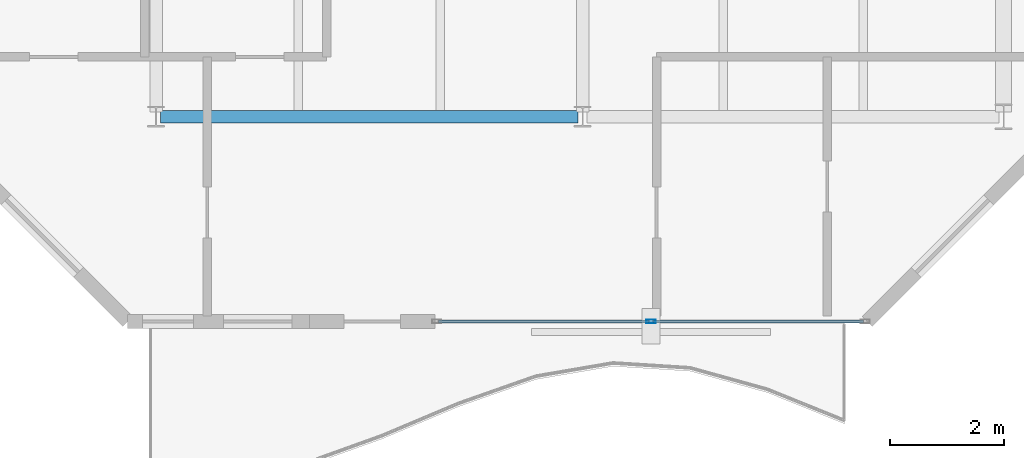
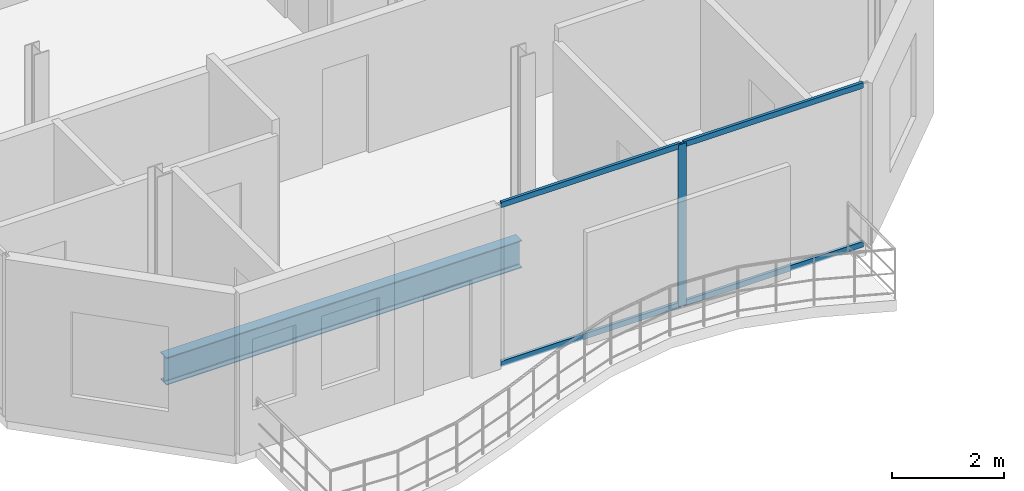
# One storey, part 4 of 22: 5 members, 1 beam, 1 element without a shape of its own.
"""IFC4 building model written with IfcOpenShell, lengths in metres."""

import ifcopenshell
import ifcopenshell.guid

model = None  # the IFC model being written
_history = None  # IfcOwnerHistory: only IFC2X3 demands one
_inside = {}  # id of a spatial element -> (the spatial element, [elements in it])
_under = {}  # id of a project, library or spatial element -> (it, [spatial elements below it])
_declared = {}  # id of a project -> (the project, [libraries it declares])
_typed = {}  # id of a type object -> (the type object, [elements of that type])
_made_of = {}  # id of a material, layer set ... -> (it, [elements and type objects made of it])


def new_model(schema):
    """Start an empty IFC model of exactly this schema.

    Asked for "IFC4X3", IfcOpenShell would pick the latest addendum, in which some entities
    have other attributes; the version numbers below select the first issue.
    IFC2X3 requires an IfcOwnerHistory on every rooted entity: one is made here for all.
    """
    global model, _history
    if schema == "IFC4X3":
        model = ifcopenshell.file(schema_version=(4, 3, 0, 0))
    else:
        model = ifcopenshell.file(schema=schema)
    _inside.clear()
    _under.clear()
    _declared.clear()
    _typed.clear()
    _made_of.clear()
    _history = None
    if model.schema == "IFC2X3":
        org = make("IfcOrganization", Name="unknown")
        user = make(
            "IfcPersonAndOrganization",
            ThePerson=make("IfcPerson", FamilyName="unknown"),
            TheOrganization=org,
        )
        app = make(
            "IfcApplication",
            ApplicationDeveloper=org,
            Version="unknown",
            ApplicationFullName="unknown",
            ApplicationIdentifier="unknown",
        )
        _history = make(
            "IfcOwnerHistory",
            OwningUser=user,
            OwningApplication=app,
            ChangeAction="ADDED",
            CreationDate=0,
        )
    return model


def make(cls, **values):
    """One entity of the class cls with the attributes given. An attribute that is None is left unset."""
    return model.create_entity(
        cls, **{name: value for name, value in values.items() if value is not None}
    )


def rooted(cls, **values):
    """An entity with a GlobalId (a new one), such as an element, a storey or a relation."""
    return make(cls, GlobalId=ifcopenshell.guid.new(), OwnerHistory=_history, **values)


def si_unit(unit_type, name, prefix=None):
    """IfcSIUnit, for example si_unit("LENGTHUNIT", "METRE", prefix="MILLI")."""
    return make("IfcSIUnit", UnitType=unit_type, Prefix=prefix, Name=name)


def assignment(units):
    """IfcUnitAssignment: the units of a project."""
    return None if units is None else make("IfcUnitAssignment", Units=units)


def point(xyz):
    """IfcCartesianPoint."""
    return None if xyz is None else make("IfcCartesianPoint", Coordinates=xyz)


def direction(xyz):
    """IfcDirection."""
    return None if xyz is None else make("IfcDirection", DirectionRatios=xyz)


def frame(location, z_axis=None, x_axis=None):
    """IfcAxis2Placement3D, a coordinate frame: its origin and axes. An axis left out is left unset."""
    return make(
        "IfcAxis2Placement3D",
        Location=point(location),
        Axis=direction(z_axis),
        RefDirection=direction(x_axis),
    )


def frame_2d(location, x_axis=None):
    """IfcAxis2Placement2D, a coordinate frame in the plane: its origin and x axis."""
    return make(
        "IfcAxis2Placement2D", Location=point(location), RefDirection=direction(x_axis)
    )


def origin():
    """The frame at (0, 0, 0) with its axes left unset."""
    return frame((0.0, 0.0, 0.0))


def origin_2d():
    """The frame at (0, 0) in the plane with its x axis left unset."""
    return frame_2d((0.0, 0.0))


def place(relative_to, where):
    """IfcLocalPlacement: puts the frame where relative to a parent placement (None: the world)."""
    return make(
        "IfcLocalPlacement", PlacementRelTo=relative_to, RelativePlacement=where
    )


def context(
    kind, dimensions, precision=None, world=None, true_north=None, identifier=None
):
    """IfcGeometricRepresentationContext, for example the 3D "Model" context."""
    return make(
        "IfcGeometricRepresentationContext",
        ContextIdentifier=identifier,
        ContextType=kind,
        CoordinateSpaceDimension=dimensions,
        Precision=precision,
        WorldCoordinateSystem=world,
        TrueNorth=true_north,
    )


def subcontext(parent, identifier, kind, view, scale=None):
    """IfcGeometricRepresentationSubContext, for example "Body" below "Model"."""
    return make(
        "IfcGeometricRepresentationSubContext",
        ContextIdentifier=identifier,
        ContextType=kind,
        ParentContext=parent,
        TargetScale=scale,
        TargetView=view,
    )


def project(units=None, contexts=None):
    """IfcProject with its units and contexts."""
    return rooted(
        "IfcProject",
        Name="project",
        RepresentationContexts=contexts,
        UnitsInContext=assignment(units),
    )


def spatial(cls, under=None, at=None, **own):
    """A site, building, storey or space (cls), placed at a placement, below another one or the project."""
    s = rooted(cls, ObjectPlacement=at, **own)
    if under is not None:
        _under.setdefault(under.id(), (under, []))[1].append(s)
    return s


def profile(cls, at=None, kind="AREA", **sizes):
    """A parametric profile (cls). Its sizes go by their IFC names, for example OverallWidth=200.0."""
    return make(cls, ProfileType=kind, Position=at, **sizes)


def hollow_rectangle(**sizes):
    """IfcRectangleHollowProfileDef."""
    return profile("IfcRectangleHollowProfileDef", **sizes)


def i_section(**sizes):
    """IfcIShapeProfileDef."""
    return profile("IfcIShapeProfileDef", **sizes)


def extrude(swept, where, along, depth):
    """IfcExtrudedAreaSolid: the profile swept, set in the frame where, extruded along a direction by depth."""
    return make(
        "IfcExtrudedAreaSolid",
        SweptArea=swept,
        Position=where,
        ExtrudedDirection=direction(along),
        Depth=depth,
    )


def shape(context_of_items, identifier, shape_type, items):
    """IfcShapeRepresentation: the items that make up one representation, for example the "Body"."""
    return make(
        "IfcShapeRepresentation",
        ContextOfItems=context_of_items,
        RepresentationIdentifier=identifier,
        RepresentationType=shape_type,
        Items=items,
    )


def material(Name=None, Category=None):
    """IfcMaterial."""
    return make("IfcMaterial", Name=Name, Category=Category)


def layer(
    of_material, thickness, ventilated=None, Name=None, Category=None, Priority=None
):
    """IfcMaterialLayer: one layer of a wall or slab, of a material (None: an air gap)."""
    return make(
        "IfcMaterialLayer",
        Material=of_material,
        LayerThickness=thickness,
        IsVentilated=ventilated,
        Name=Name,
        Category=Category,
        Priority=Priority,
    )


def layer_set(layers, Name=None):
    """IfcMaterialLayerSet."""
    return make("IfcMaterialLayerSet", MaterialLayers=layers, LayerSetName=Name)


def material_profile(
    of_material, cross_section, Name=None, Category=None, Priority=None
):
    """IfcMaterialProfile: a cross section and its material."""
    return make(
        "IfcMaterialProfile",
        Name=Name,
        Material=of_material,
        Profile=cross_section,
        Priority=Priority,
        Category=Category,
    )


def profile_set(profiles, Name=None, composite=None):
    """IfcMaterialProfileSet."""
    return make(
        "IfcMaterialProfileSet",
        Name=Name,
        MaterialProfiles=profiles,
        CompositeProfile=composite,
    )


def made_of(thing, what):
    """Note that an element or type object is made of a material, layer set ...; save() writes the relation."""
    if what is not None:
        _made_of.setdefault(what.id(), (what, []))[1].append(thing)
    return thing


def type_object(cls, material=None, **own):
    """A type object (cls), such as IfcWallType, which elements share."""
    return made_of(rooted(cls, **own), material)


def element(
    cls,
    number,
    at=None,
    inside=None,
    cuts=None,
    type_object=None,
    material=None,
    context=None,
    identifier="Body",
    shape_type=None,
    held_by="IfcProductDefinitionShape",
    body=None,
    shapes=None,
    **own,
):
    """One element of the class cls, such as IfcWall. Its Tag is "e" and its number.

    at: its placement. inside: the storey or other place that contains it. cuts: it is an
    opening in that element (IfcRelVoidsElement). A single representation is given by context,
    identifier, shape_type and body (its items); several are given by shapes. held_by: the class
    of the entity that holds the representations. save() writes the other relations.
    """
    e = rooted(cls, Tag="e%d" % number, ObjectPlacement=at, **own)
    if body is not None:
        shapes = [shape(context, identifier, shape_type, body)]
    if shapes is not None:
        e.Representation = make(held_by, Representations=shapes)
    if inside is not None:
        _inside.setdefault(inside.id(), (inside, []))[1].append(e)
    if cuts is not None:
        rooted(
            "IfcRelVoidsElement", RelatingBuildingElement=cuts, RelatedOpeningElement=e
        )
    if type_object is not None:
        _typed.setdefault(type_object.id(), (type_object, []))[1].append(e)
    return made_of(e, material)


def aggregate(whole, parts):
    """IfcRelAggregates: a whole, such as a stair, and the parts it consists of."""
    return rooted("IfcRelAggregates", RelatingObject=whole, RelatedObjects=parts)


def save(model, path):
    """Write the relations noted so far, then the file.

    IfcRelAggregates (storeys below a building ...), IfcRelContainedInSpatialStructure (elements
    in a storey), IfcRelDefinesByType, IfcRelAssociatesMaterial and IfcRelDeclares: one each for
    every whole, place, type object, material and project.
    """
    for whole, parts in _under.values():
        aggregate(whole, parts)
    for where, things in _inside.values():
        rooted(
            "IfcRelContainedInSpatialStructure",
            RelatedElements=things,
            RelatingStructure=where,
        )
    for kind, things in _typed.values():
        rooted("IfcRelDefinesByType", RelatedObjects=things, RelatingType=kind)
    for what, things in _made_of.values():
        rooted("IfcRelAssociatesMaterial", RelatedObjects=things, RelatingMaterial=what)
    for by, libraries in _declared.values():
        rooted("IfcRelDeclares", RelatingContext=by, RelatedDefinitions=libraries)
    model.write(path)


model = new_model("IFC4")

# Units and contexts
model_context = context("Model", 3, precision=1e-05, world=origin(), true_north=direction((0.0, 1.0)))
body_context = subcontext(model_context, "Body", "Model", "MODEL_VIEW")
ifc_project = project(units=[si_unit("LENGTHUNIT", "METRE"), si_unit("AREAUNIT", "SQUARE_METRE"), si_unit("VOLUMEUNIT", "CUBIC_METRE"), si_unit("PLANEANGLEUNIT", "RADIAN"), si_unit("MASSUNIT", "GRAM", prefix="KILO")], contexts=[model_context])

# Site, building, storey
site_placement = place(None, origin())
site = spatial("IfcSite", under=ifc_project, at=site_placement, CompositionType="ELEMENT")
building_placement = place(site_placement, origin())
building = spatial("IfcBuilding", under=site, at=building_placement, Name="Catumbela Crestline Tower", CompositionType="ELEMENT")
storey_placement = place(building_placement, frame((0.0, 0.0, 233.6)))
storey = spatial("IfcBuildingStorey", under=building, at=storey_placement, Name="L60", CompositionType="ELEMENT", Elevation=233.6)

# Beam
ifc_material_1 = material(Name="Structural steel S355J2", Category="steel")
ifc_material_profile_1 = material_profile(ifc_material_1, i_section(OverallWidth=0.22, OverallDepth=0.6, WebThickness=0.012, FlangeThickness=0.019, FilletRadius=0.024, at=origin_2d()), Name="IPE 600")
ifc_profile_set_1 = profile_set([ifc_material_profile_1], Name="Structural steel S355J2")
beam_type = type_object("IfcBeamType", Name="BG-IPE600", PredefinedType="BEAM", material=ifc_profile_set_1)
beam_placement = place(storey_placement, frame((8.58, 13.6, -0.56), z_axis=(1.0, 0.0, 0.0), x_axis=(0.0, 1.0, 0.0)))
element("IfcBeam", 1, at=beam_placement, inside=storey, type_object=beam_type, Name="L60 Beam BM-L60-WEW27", PredefinedType="BEAM", context=body_context, shape_type="SweptSolid", body=[
    extrude(i_section(OverallWidth=0.22, OverallDepth=0.6, WebThickness=0.012, FlangeThickness=0.019, FilletRadius=0.024, at=origin_2d()), origin(), (0.0, 0.0, 1.0), 7.34),
])

# Curtain wall, members
ifc_material_2 = material(Name="Aluminium alloy AW-6060-T66", Category="aluminium")
ifc_layer = layer(ifc_material_2, 0.18, Name="Aluminium alloy AW-6060-T66")
ifc_layer_set = layer_set([ifc_layer], Name="Aluminium alloy AW-6060-T66")
curtain_wall_type = type_object("IfcCurtainWallType", Name="CWU-Z4", PredefinedType="USERDEFINED", material=ifc_layer_set)
curtain_wall_placement = place(storey_placement, origin())
curtain_wall = element("IfcCurtainWall", 2, at=curtain_wall_placement, inside=storey, type_object=curtain_wall_type, Name="L60 Unitised Curtain Wall CW-L60-E0S2", ObjectType="UNITISED", PredefinedType="USERDEFINED")
ifc_material_profile_2 = material_profile(ifc_material_2, hollow_rectangle(XDim=0.06, YDim=0.16, WallThickness=0.004, at=origin_2d()), Name="ALU 160x60x4")
ifc_profile_set_2 = profile_set([ifc_material_profile_2], Name="Aluminium alloy AW-6060-T66")
member_type_1 = type_object("IfcMemberType", Name="MUL-160X60", PredefinedType="MULLION", material=ifc_profile_set_2)
member_1_placement = place(storey_placement, frame((17.2, 10.0, 0.0), z_axis=(0.0, 0.0, 1.0), x_axis=(0.0, 1.0, 0.0)))
member_1 = element("IfcMember", 3, at=member_1_placement, type_object=member_type_1, Name="CWU-Z4 mullion 2", PredefinedType="MULLION", context=body_context, shape_type="SweptSolid", body=[
    extrude(hollow_rectangle(XDim=0.06, YDim=0.16, WallThickness=0.004, at=origin_2d()), origin(), (0.0, 0.0, 1.0), 3.53),
])
ifc_material_profile_3 = material_profile(ifc_material_2, hollow_rectangle(XDim=0.06, YDim=0.12, WallThickness=0.0035, at=origin_2d()), Name="ALU 120x60x3.5")
ifc_profile_set_3 = profile_set([ifc_material_profile_3], Name="Aluminium alloy AW-6060-T66")
member_type_2 = type_object("IfcMemberType", Name="TRN-120X60", PredefinedType="USERDEFINED", material=ifc_profile_set_3)
member_2_placement = place(storey_placement, frame((13.465, 10.0, 0.03), z_axis=(1.0, 0.0, 0.0), x_axis=(0.0, 1.0, 0.0)))
member_2 = element("IfcMember", 4, at=member_2_placement, type_object=member_type_2, Name="CWU-Z4 transom 1.1", ObjectType="TRANSOM", PredefinedType="USERDEFINED", context=body_context, shape_type="SweptSolid", body=[
    extrude(hollow_rectangle(XDim=0.06, YDim=0.12, WallThickness=0.0035, at=origin_2d()), origin(), (0.0, 0.0, 1.0), 3.7025),
])
member_3_placement = place(storey_placement, frame((13.465, 10.0, 3.5), z_axis=(1.0, 0.0, 0.0), x_axis=(0.0, 1.0, 0.0)))
member_3 = element("IfcMember", 5, at=member_3_placement, type_object=member_type_2, Name="CWU-Z4 transom 1.2", ObjectType="TRANSOM", PredefinedType="USERDEFINED", context=body_context, shape_type="SweptSolid", body=[
    extrude(hollow_rectangle(XDim=0.06, YDim=0.12, WallThickness=0.0035, at=origin_2d()), origin(), (0.0, 0.0, 1.0), 3.7025),
])
member_4_placement = place(storey_placement, frame((17.2325, 10.0, 0.03), z_axis=(1.0, 0.0, 0.0), x_axis=(0.0, 1.0, 0.0)))
member_4 = element("IfcMember", 6, at=member_4_placement, type_object=member_type_2, Name="CWU-Z4 transom 2.1", ObjectType="TRANSOM", PredefinedType="USERDEFINED", context=body_context, shape_type="SweptSolid", body=[
    extrude(hollow_rectangle(XDim=0.06, YDim=0.12, WallThickness=0.0035, at=origin_2d()), origin(), (0.0, 0.0, 1.0), 3.7025),
])
member_5_placement = place(storey_placement, frame((17.2325, 10.0, 3.5), z_axis=(1.0, 0.0, 0.0), x_axis=(0.0, 1.0, 0.0)))
member_5 = element("IfcMember", 7, at=member_5_placement, type_object=member_type_2, Name="CWU-Z4 transom 2.2", ObjectType="TRANSOM", PredefinedType="USERDEFINED", context=body_context, shape_type="SweptSolid", body=[
    extrude(hollow_rectangle(XDim=0.06, YDim=0.12, WallThickness=0.0035, at=origin_2d()), origin(), (0.0, 0.0, 1.0), 3.7025),
])
aggregate(curtain_wall, [member_1, member_2, member_3, member_4, member_5])

save(model, "model.ifc")
